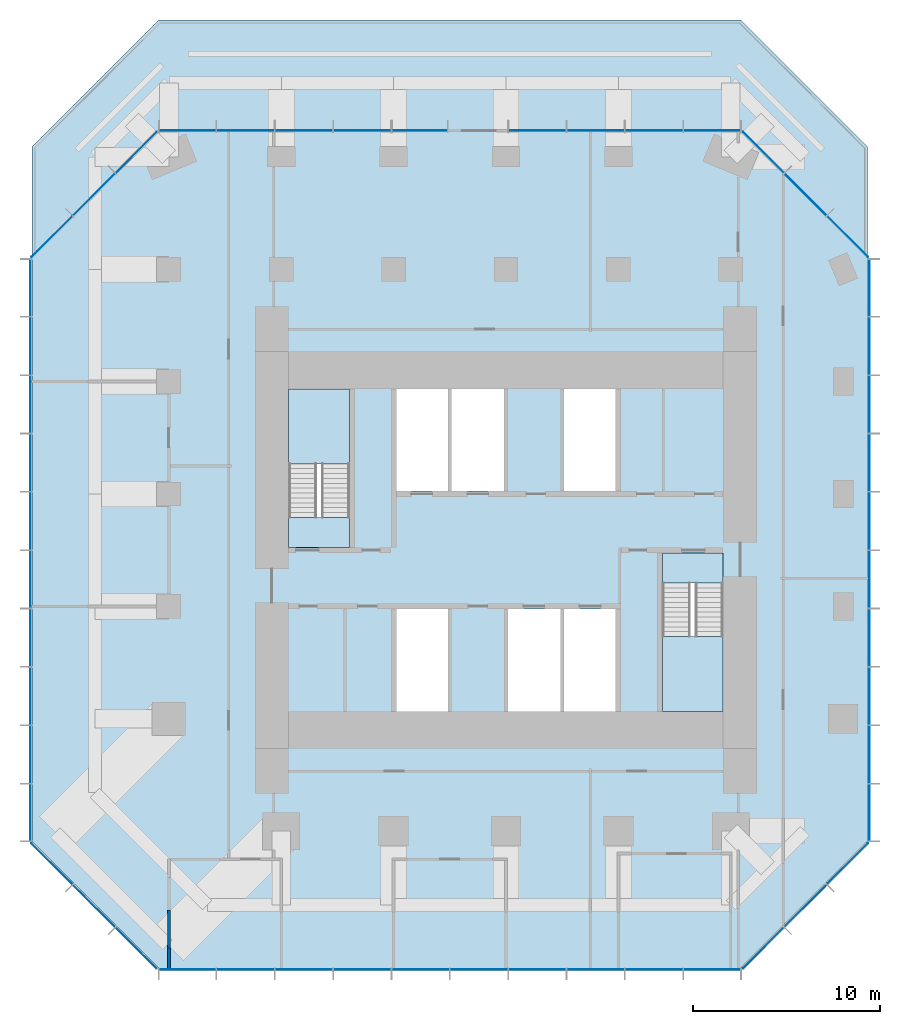
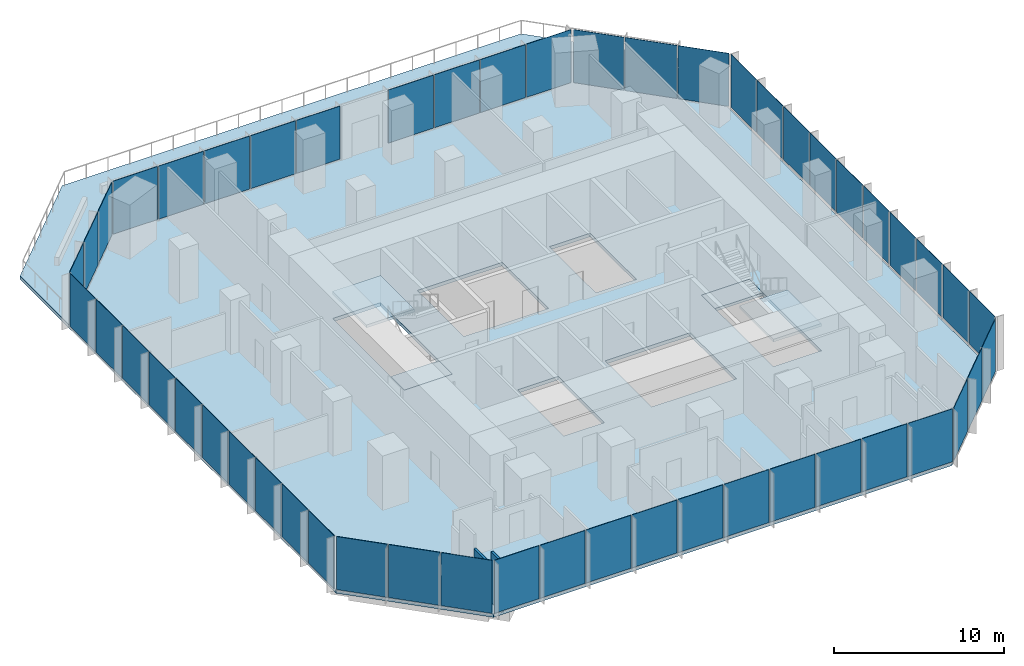
# One storey, part 7 of 11: 51 plates, 5 slabs, 2 walls, 11 elements without a shape of their own.
"""IFC4 building model written with IfcOpenShell, lengths in metres."""

from ifc_helpers import new_model, si_unit, direction, frame, frame_2d, origin, origin_2d, place, context, subcontext, project, spatial, polyline, rectangle, outline, extrude, material, layer, layer_set, type_object, element, aggregate, save


model = new_model("IFC4")

# Units and contexts
model_context = context("Model", 3, precision=1e-05, world=origin(), true_north=direction((0.0, 1.0)))
body_context = subcontext(model_context, "Body", "Model", "MODEL_VIEW")
ifc_project = project(units=[si_unit("LENGTHUNIT", "METRE"), si_unit("AREAUNIT", "SQUARE_METRE"), si_unit("VOLUMEUNIT", "CUBIC_METRE"), si_unit("PLANEANGLEUNIT", "RADIAN"), si_unit("MASSUNIT", "GRAM", prefix="KILO")], contexts=[model_context])

# Site, building, storey
site_placement = place(None, origin())
site = spatial("IfcSite", under=ifc_project, at=site_placement, CompositionType="ELEMENT")
building_placement = place(site_placement, origin())
building = spatial("IfcBuilding", under=site, at=building_placement, Name="Highveld Stack Headquarters", CompositionType="ELEMENT")
storey_placement = place(building_placement, frame((0.0, 0.0, 212.300048828125)))
storey = spatial("IfcBuildingStorey", under=building, at=storey_placement, Name="L52", CompositionType="ELEMENT", Elevation=212.300048828125)

# Curtain wall, plates
ifc_material_1 = material(Name="Aluminium bronze anodised", Category="aluminium")
ifc_layer_1 = layer(ifc_material_1, 0.199951171875)
ifc_layer_set_1 = layer_set([ifc_layer_1], Name="Aluminium bronze anodised")
curtain_wall_type_1 = type_object("IfcCurtainWallType", Name="CW1 TOWER UNITISED CURTAIN WALL", PredefinedType="NOTDEFINED", material=ifc_layer_set_1)
curtain_wall_1_placement = place(storey_placement, origin())
curtain_wall_1 = element("IfcCurtainWall", 1, at=curtain_wall_1_placement, inside=storey, type_object=curtain_wall_type_1, Name="Curtain wall CW1 L52 S", PredefinedType="NOTDEFINED")
ifc_material_2 = material(Name="Glass bronze tinted double glazed unit", Category="glass")
ifc_layer_2 = layer(ifc_material_2, 0.028076171875)
ifc_layer_set_2 = layer_set([ifc_layer_2], Name="Glass bronze tinted double glazed unit")
plate_type_1 = type_object("IfcPlateType", Name="CW1 PANEL BRONZE TINTED DOUBLE GLAZED UNIT", PredefinedType="CURTAIN_PANEL", material=ifc_layer_set_2)
plate_1_placement = place(storey_placement, frame((-11.005615234375, -19.39990234375, 0.10009765625), z_axis=(0.0, 0.0, 1.0), x_axis=(1.0, 0.0, 0.0)))
plate_1 = element("IfcPlate", 2, at=plate_1_placement, type_object=plate_type_1, Name="CW1 panel L52 1.1", PredefinedType="CURTAIN_PANEL", context=body_context, shape_type="SweptSolid", body=[
    extrude(rectangle(XDim=3.0185546875, YDim=0.028076171875, at=origin_2d()), origin(), (0.0, 0.0, 1.0), 3.800048828125),
])
plate_2_placement = place(storey_placement, frame((-7.906005859375, -19.39990234375, 0.10009765625), z_axis=(0.0, 0.0, 1.0), x_axis=(1.0, 0.0, 0.0)))
plate_2 = element("IfcPlate", 3, at=plate_2_placement, type_object=plate_type_1, Name="CW1 panel L52 2.1", PredefinedType="CURTAIN_PANEL", context=body_context, shape_type="SweptSolid", body=[
    extrude(rectangle(XDim=3.051025390625, YDim=0.028076171875, at=origin_2d()), origin(), (0.0, 0.0, 1.0), 3.800048828125),
])
plate_3_placement = place(storey_placement, frame((-4.7900390625, -19.39990234375, 0.10009765625), z_axis=(0.0, 0.0, 1.0), x_axis=(1.0, 0.0, 0.0)))
plate_3 = element("IfcPlate", 4, at=plate_3_placement, type_object=plate_type_1, Name="CW1 panel L52 3.1", PredefinedType="CURTAIN_PANEL", context=body_context, shape_type="SweptSolid", body=[
    extrude(rectangle(XDim=3.051025390625, YDim=0.028076171875, at=origin_2d()), origin(), (0.0, 0.0, 1.0), 3.800048828125),
])
plate_4_placement = place(storey_placement, frame((-1.674072265625, -19.39990234375, 0.10009765625), z_axis=(0.0, 0.0, 1.0), x_axis=(1.0, 0.0, 0.0)))
plate_4 = element("IfcPlate", 5, at=plate_4_placement, type_object=plate_type_1, Name="CW1 panel L52 4.1", PredefinedType="CURTAIN_PANEL", context=body_context, shape_type="SweptSolid", body=[
    extrude(rectangle(XDim=3.051025390625, YDim=0.028076171875, at=origin_2d()), origin(), (0.0, 0.0, 1.0), 3.800048828125),
])
plate_5_placement = place(storey_placement, frame((1.44189453125, -19.39990234375, 0.10009765625), z_axis=(0.0, 0.0, 1.0), x_axis=(1.0, 0.0, 0.0)))
plate_5 = element("IfcPlate", 6, at=plate_5_placement, type_object=plate_type_1, Name="CW1 panel L52 5.1", PredefinedType="CURTAIN_PANEL", context=body_context, shape_type="SweptSolid", body=[
    extrude(rectangle(XDim=3.051025390625, YDim=0.028076171875, at=origin_2d()), origin(), (0.0, 0.0, 1.0), 3.800048828125),
])
plate_6_placement = place(storey_placement, frame((4.55810546875, -19.39990234375, 0.10009765625), z_axis=(0.0, 0.0, 1.0), x_axis=(1.0, 0.0, 0.0)))
plate_6 = element("IfcPlate", 7, at=plate_6_placement, type_object=plate_type_1, Name="CW1 panel L52 6.1", PredefinedType="CURTAIN_PANEL", context=body_context, shape_type="SweptSolid", body=[
    extrude(rectangle(XDim=3.051025390625, YDim=0.028076171875, at=origin_2d()), origin(), (0.0, 0.0, 1.0), 3.800048828125),
])
plate_7_placement = place(storey_placement, frame((7.674072265625, -19.39990234375, 0.10009765625), z_axis=(0.0, 0.0, 1.0), x_axis=(1.0, 0.0, 0.0)))
plate_7 = element("IfcPlate", 8, at=plate_7_placement, type_object=plate_type_1, Name="CW1 panel L52 7.1", PredefinedType="CURTAIN_PANEL", context=body_context, shape_type="SweptSolid", body=[
    extrude(rectangle(XDim=3.051025390625, YDim=0.028076171875, at=origin_2d()), origin(), (0.0, 0.0, 1.0), 3.800048828125),
])
plate_8_placement = place(storey_placement, frame((10.789794921875, -19.39990234375, 0.10009765625), z_axis=(0.0, 0.0, 1.0), x_axis=(1.0, 0.0, 0.0)))
plate_8 = element("IfcPlate", 9, at=plate_8_placement, type_object=plate_type_1, Name="CW1 panel L52 8.1", PredefinedType="CURTAIN_PANEL", context=body_context, shape_type="SweptSolid", body=[
    extrude(rectangle(XDim=3.051025390625, YDim=0.028076171875, at=origin_2d()), origin(), (0.0, 0.0, 1.0), 3.800048828125),
])
plate_9_placement = place(storey_placement, frame((13.906005859375, -19.39990234375, 0.10009765625), z_axis=(0.0, 0.0, 1.0), x_axis=(1.0, 0.0, 0.0)))
plate_9 = element("IfcPlate", 10, at=plate_9_placement, type_object=plate_type_1, Name="CW1 panel L52 9.1", PredefinedType="CURTAIN_PANEL", context=body_context, shape_type="SweptSolid", body=[
    extrude(rectangle(XDim=3.051025390625, YDim=0.028076171875, at=origin_2d()), origin(), (0.0, 0.0, 1.0), 3.800048828125),
])
plate_10_placement = place(storey_placement, frame((17.005615234375, -19.39990234375, 0.10009765625), z_axis=(0.0, 0.0, 1.0), x_axis=(1.0, 0.0, 0.0)))
plate_10 = element("IfcPlate", 11, at=plate_10_placement, type_object=plate_type_1, Name="CW1 panel L52 10.1", PredefinedType="CURTAIN_PANEL", context=body_context, shape_type="SweptSolid", body=[
    extrude(rectangle(XDim=3.0185546875, YDim=0.028076171875, at=origin_2d()), origin(), (0.0, 0.0, 1.0), 3.800048828125),
])
aggregate(curtain_wall_1, [plate_1, plate_2, plate_3, plate_4, plate_5, plate_6, plate_7, plate_8, plate_9, plate_10])

curtain_wall_2_placement = place(storey_placement, origin())
curtain_wall_2 = element("IfcCurtainWall", 12, at=curtain_wall_2_placement, inside=storey, type_object=curtain_wall_type_1, Name="Curtain wall CW1 L52 E", PredefinedType="NOTDEFINED")
plate_11_placement = place(storey_placement, frame((25.39990234375, -11.005615234375, 0.10009765625), z_axis=(0.0, 0.0, 1.0), x_axis=(0.0, 1.0, 0.0)))
plate_11 = element("IfcPlate", 13, at=plate_11_placement, type_object=plate_type_1, Name="CW1 panel L52 1.1", PredefinedType="CURTAIN_PANEL", context=body_context, shape_type="SweptSolid", body=[
    extrude(rectangle(XDim=3.0185546875, YDim=0.028076171875, at=origin_2d()), origin(), (0.0, 0.0, 1.0), 3.800048828125),
])
plate_12_placement = place(storey_placement, frame((25.39990234375, -7.906005859375, 0.10009765625), z_axis=(0.0, 0.0, 1.0), x_axis=(0.0, 1.0, 0.0)))
plate_12 = element("IfcPlate", 14, at=plate_12_placement, type_object=plate_type_1, Name="CW1 panel L52 2.1", PredefinedType="CURTAIN_PANEL", context=body_context, shape_type="SweptSolid", body=[
    extrude(rectangle(XDim=3.051025390625, YDim=0.028076171875, at=origin_2d()), origin(), (0.0, 0.0, 1.0), 3.800048828125),
])
plate_13_placement = place(storey_placement, frame((25.39990234375, -4.7900390625, 0.10009765625), z_axis=(0.0, 0.0, 1.0), x_axis=(0.0, 1.0, 0.0)))
plate_13 = element("IfcPlate", 15, at=plate_13_placement, type_object=plate_type_1, Name="CW1 panel L52 3.1", PredefinedType="CURTAIN_PANEL", context=body_context, shape_type="SweptSolid", body=[
    extrude(rectangle(XDim=3.051025390625, YDim=0.028076171875, at=origin_2d()), origin(), (0.0, 0.0, 1.0), 3.800048828125),
])
plate_14_placement = place(storey_placement, frame((25.39990234375, -1.674072265625, 0.10009765625), z_axis=(0.0, 0.0, 1.0), x_axis=(0.0, 1.0, 0.0)))
plate_14 = element("IfcPlate", 16, at=plate_14_placement, type_object=plate_type_1, Name="CW1 panel L52 4.1", PredefinedType="CURTAIN_PANEL", context=body_context, shape_type="SweptSolid", body=[
    extrude(rectangle(XDim=3.051025390625, YDim=0.028076171875, at=origin_2d()), origin(), (0.0, 0.0, 1.0), 3.800048828125),
])
plate_15_placement = place(storey_placement, frame((25.39990234375, 1.44189453125, 0.10009765625), z_axis=(0.0, 0.0, 1.0), x_axis=(0.0, 1.0, 0.0)))
plate_15 = element("IfcPlate", 17, at=plate_15_placement, type_object=plate_type_1, Name="CW1 panel L52 5.1", PredefinedType="CURTAIN_PANEL", context=body_context, shape_type="SweptSolid", body=[
    extrude(rectangle(XDim=3.051025390625, YDim=0.028076171875, at=origin_2d()), origin(), (0.0, 0.0, 1.0), 3.800048828125),
])
plate_16_placement = place(storey_placement, frame((25.39990234375, 4.55810546875, 0.10009765625), z_axis=(0.0, 0.0, 1.0), x_axis=(0.0, 1.0, 0.0)))
plate_16 = element("IfcPlate", 18, at=plate_16_placement, type_object=plate_type_1, Name="CW1 panel L52 6.1", PredefinedType="CURTAIN_PANEL", context=body_context, shape_type="SweptSolid", body=[
    extrude(rectangle(XDim=3.051025390625, YDim=0.028076171875, at=origin_2d()), origin(), (0.0, 0.0, 1.0), 3.800048828125),
])
plate_17_placement = place(storey_placement, frame((25.39990234375, 7.674072265625, 0.10009765625), z_axis=(0.0, 0.0, 1.0), x_axis=(0.0, 1.0, 0.0)))
plate_17 = element("IfcPlate", 19, at=plate_17_placement, type_object=plate_type_1, Name="CW1 panel L52 7.1", PredefinedType="CURTAIN_PANEL", context=body_context, shape_type="SweptSolid", body=[
    extrude(rectangle(XDim=3.051025390625, YDim=0.028076171875, at=origin_2d()), origin(), (0.0, 0.0, 1.0), 3.800048828125),
])
plate_18_placement = place(storey_placement, frame((25.39990234375, 10.789794921875, 0.10009765625), z_axis=(0.0, 0.0, 1.0), x_axis=(0.0, 1.0, 0.0)))
plate_18 = element("IfcPlate", 20, at=plate_18_placement, type_object=plate_type_1, Name="CW1 panel L52 8.1", PredefinedType="CURTAIN_PANEL", context=body_context, shape_type="SweptSolid", body=[
    extrude(rectangle(XDim=3.051025390625, YDim=0.028076171875, at=origin_2d()), origin(), (0.0, 0.0, 1.0), 3.800048828125),
])
plate_19_placement = place(storey_placement, frame((25.39990234375, 13.906005859375, 0.10009765625), z_axis=(0.0, 0.0, 1.0), x_axis=(0.0, 1.0, 0.0)))
plate_19 = element("IfcPlate", 21, at=plate_19_placement, type_object=plate_type_1, Name="CW1 panel L52 9.1", PredefinedType="CURTAIN_PANEL", context=body_context, shape_type="SweptSolid", body=[
    extrude(rectangle(XDim=3.051025390625, YDim=0.028076171875, at=origin_2d()), origin(), (0.0, 0.0, 1.0), 3.800048828125),
])
plate_20_placement = place(storey_placement, frame((25.39990234375, 17.005615234375, 0.10009765625), z_axis=(0.0, 0.0, 1.0), x_axis=(0.0, 1.0, 0.0)))
plate_20 = element("IfcPlate", 22, at=plate_20_placement, type_object=plate_type_1, Name="CW1 panel L52 10.1", PredefinedType="CURTAIN_PANEL", context=body_context, shape_type="SweptSolid", body=[
    extrude(rectangle(XDim=3.0185546875, YDim=0.028076171875, at=origin_2d()), origin(), (0.0, 0.0, 1.0), 3.800048828125),
])
aggregate(curtain_wall_2, [plate_11, plate_12, plate_13, plate_14, plate_15, plate_16, plate_17, plate_18, plate_19, plate_20])

curtain_wall_3_placement = place(storey_placement, origin())
curtain_wall_3 = element("IfcCurtainWall", 23, at=curtain_wall_3_placement, inside=storey, type_object=curtain_wall_type_1, Name="Curtain wall CW1 L52 N-1", PredefinedType="NOTDEFINED")
plate_21_placement = place(storey_placement, frame((17.005615234375, 25.39990234375, 0.10009765625), z_axis=(0.0, 0.0, 1.0), x_axis=(-1.0, 0.0, 0.0)))
plate_21 = element("IfcPlate", 24, at=plate_21_placement, type_object=plate_type_1, Name="CW1 panel L52 1.1", PredefinedType="CURTAIN_PANEL", context=body_context, shape_type="SweptSolid", body=[
    extrude(rectangle(XDim=3.0185546875, YDim=0.028076171875, at=origin_2d()), origin(), (0.0, 0.0, 1.0), 3.800048828125),
])
plate_22_placement = place(storey_placement, frame((13.906005859375, 25.39990234375, 0.10009765625), z_axis=(0.0, 0.0, 1.0), x_axis=(-1.0, 0.0, 0.0)))
plate_22 = element("IfcPlate", 25, at=plate_22_placement, type_object=plate_type_1, Name="CW1 panel L52 2.1", PredefinedType="CURTAIN_PANEL", context=body_context, shape_type="SweptSolid", body=[
    extrude(rectangle(XDim=3.051025390625, YDim=0.028076171875, at=origin_2d()), origin(), (0.0, 0.0, 1.0), 3.800048828125),
])
plate_23_placement = place(storey_placement, frame((10.7900390625, 25.39990234375, 0.10009765625), z_axis=(0.0, 0.0, 1.0), x_axis=(-1.0, 0.0, 0.0)))
plate_23 = element("IfcPlate", 26, at=plate_23_placement, type_object=plate_type_1, Name="CW1 panel L52 3.1", PredefinedType="CURTAIN_PANEL", context=body_context, shape_type="SweptSolid", body=[
    extrude(rectangle(XDim=3.051025390625, YDim=0.028076171875, at=origin_2d()), origin(), (0.0, 0.0, 1.0), 3.800048828125),
])
plate_24_placement = place(storey_placement, frame((7.674072265625, 25.39990234375, 0.10009765625), z_axis=(0.0, 0.0, 1.0), x_axis=(-1.0, 0.0, 0.0)))
plate_24 = element("IfcPlate", 27, at=plate_24_placement, type_object=plate_type_1, Name="CW1 panel L52 4.1", PredefinedType="CURTAIN_PANEL", context=body_context, shape_type="SweptSolid", body=[
    extrude(rectangle(XDim=3.051025390625, YDim=0.028076171875, at=origin_2d()), origin(), (0.0, 0.0, 1.0), 3.800048828125),
])
aggregate(curtain_wall_3, [plate_21, plate_22, plate_23, plate_24])

curtain_wall_4_placement = place(storey_placement, origin())
curtain_wall_4 = element("IfcCurtainWall", 28, at=curtain_wall_4_placement, inside=storey, type_object=curtain_wall_type_1, Name="Curtain wall CW1 L52 N-2", PredefinedType="NOTDEFINED")
plate_25_placement = place(storey_placement, frame((1.38818359375, 25.39990234375, 0.10009765625), z_axis=(0.0, 0.0, 1.0), x_axis=(-1.0, 0.0, 0.0)))
plate_25 = element("IfcPlate", 29, at=plate_25_placement, type_object=plate_type_1, Name="CW1 panel L52 6.1", PredefinedType="CURTAIN_PANEL", context=body_context, shape_type="SweptSolid", body=[
    extrude(rectangle(XDim=2.943603515625, YDim=0.028076171875, at=origin_2d()), origin(), (0.0, 0.0, 1.0), 3.800048828125),
])
plate_26_placement = place(storey_placement, frame((-1.674072265625, 25.39990234375, 0.10009765625), z_axis=(0.0, 0.0, 1.0), x_axis=(-1.0, 0.0, 0.0)))
plate_26 = element("IfcPlate", 30, at=plate_26_placement, type_object=plate_type_1, Name="CW1 panel L52 7.1", PredefinedType="CURTAIN_PANEL", context=body_context, shape_type="SweptSolid", body=[
    extrude(rectangle(XDim=3.051025390625, YDim=0.028076171875, at=origin_2d()), origin(), (0.0, 0.0, 1.0), 3.800048828125),
])
plate_27_placement = place(storey_placement, frame((-4.789794921875, 25.39990234375, 0.10009765625), z_axis=(0.0, 0.0, 1.0), x_axis=(-1.0, 0.0, 0.0)))
plate_27 = element("IfcPlate", 31, at=plate_27_placement, type_object=plate_type_1, Name="CW1 panel L52 8.1", PredefinedType="CURTAIN_PANEL", context=body_context, shape_type="SweptSolid", body=[
    extrude(rectangle(XDim=3.051025390625, YDim=0.028076171875, at=origin_2d()), origin(), (0.0, 0.0, 1.0), 3.800048828125),
])
plate_28_placement = place(storey_placement, frame((-7.906005859375, 25.39990234375, 0.10009765625), z_axis=(0.0, 0.0, 1.0), x_axis=(-1.0, 0.0, 0.0)))
plate_28 = element("IfcPlate", 32, at=plate_28_placement, type_object=plate_type_1, Name="CW1 panel L52 9.1", PredefinedType="CURTAIN_PANEL", context=body_context, shape_type="SweptSolid", body=[
    extrude(rectangle(XDim=3.051025390625, YDim=0.028076171875, at=origin_2d()), origin(), (0.0, 0.0, 1.0), 3.800048828125),
])
plate_29_placement = place(storey_placement, frame((-11.005615234375, 25.39990234375, 0.10009765625), z_axis=(0.0, 0.0, 1.0), x_axis=(-1.0, 0.0, 0.0)))
plate_29 = element("IfcPlate", 33, at=plate_29_placement, type_object=plate_type_1, Name="CW1 panel L52 10.1", PredefinedType="CURTAIN_PANEL", context=body_context, shape_type="SweptSolid", body=[
    extrude(rectangle(XDim=3.0185546875, YDim=0.028076171875, at=origin_2d()), origin(), (0.0, 0.0, 1.0), 3.800048828125),
])
aggregate(curtain_wall_4, [plate_25, plate_26, plate_27, plate_28, plate_29])

curtain_wall_5_placement = place(storey_placement, origin())
curtain_wall_5 = element("IfcCurtainWall", 34, at=curtain_wall_5_placement, inside=storey, type_object=curtain_wall_type_1, Name="Curtain wall CW1 L52 W", PredefinedType="NOTDEFINED")
plate_30_placement = place(storey_placement, frame((-19.39990234375, 17.005615234375, 0.10009765625), z_axis=(0.0, 0.0, 1.0), x_axis=(0.0, -1.0, 0.0)))
plate_30 = element("IfcPlate", 35, at=plate_30_placement, type_object=plate_type_1, Name="CW1 panel L52 1.1", PredefinedType="CURTAIN_PANEL", context=body_context, shape_type="SweptSolid", body=[
    extrude(rectangle(XDim=3.0185546875, YDim=0.028076171875, at=origin_2d()), origin(), (0.0, 0.0, 1.0), 3.800048828125),
])
plate_31_placement = place(storey_placement, frame((-19.39990234375, 13.906005859375, 0.10009765625), z_axis=(0.0, 0.0, 1.0), x_axis=(0.0, -1.0, 0.0)))
plate_31 = element("IfcPlate", 36, at=plate_31_placement, type_object=plate_type_1, Name="CW1 panel L52 2.1", PredefinedType="CURTAIN_PANEL", context=body_context, shape_type="SweptSolid", body=[
    extrude(rectangle(XDim=3.051025390625, YDim=0.028076171875, at=origin_2d()), origin(), (0.0, 0.0, 1.0), 3.800048828125),
])
plate_32_placement = place(storey_placement, frame((-19.39990234375, 10.7900390625, 0.10009765625), z_axis=(0.0, 0.0, 1.0), x_axis=(0.0, -1.0, 0.0)))
plate_32 = element("IfcPlate", 37, at=plate_32_placement, type_object=plate_type_1, Name="CW1 panel L52 3.1", PredefinedType="CURTAIN_PANEL", context=body_context, shape_type="SweptSolid", body=[
    extrude(rectangle(XDim=3.051025390625, YDim=0.028076171875, at=origin_2d()), origin(), (0.0, 0.0, 1.0), 3.800048828125),
])
plate_33_placement = place(storey_placement, frame((-19.39990234375, 7.674072265625, 0.10009765625), z_axis=(0.0, 0.0, 1.0), x_axis=(0.0, -1.0, 0.0)))
plate_33 = element("IfcPlate", 38, at=plate_33_placement, type_object=plate_type_1, Name="CW1 panel L52 4.1", PredefinedType="CURTAIN_PANEL", context=body_context, shape_type="SweptSolid", body=[
    extrude(rectangle(XDim=3.051025390625, YDim=0.028076171875, at=origin_2d()), origin(), (0.0, 0.0, 1.0), 3.800048828125),
])
plate_34_placement = place(storey_placement, frame((-19.39990234375, 4.55810546875, 0.10009765625), z_axis=(0.0, 0.0, 1.0), x_axis=(0.0, -1.0, 0.0)))
plate_34 = element("IfcPlate", 39, at=plate_34_placement, type_object=plate_type_1, Name="CW1 panel L52 5.1", PredefinedType="CURTAIN_PANEL", context=body_context, shape_type="SweptSolid", body=[
    extrude(rectangle(XDim=3.051025390625, YDim=0.028076171875, at=origin_2d()), origin(), (0.0, 0.0, 1.0), 3.800048828125),
])
plate_35_placement = place(storey_placement, frame((-19.39990234375, 1.44189453125, 0.10009765625), z_axis=(0.0, 0.0, 1.0), x_axis=(0.0, -1.0, 0.0)))
plate_35 = element("IfcPlate", 40, at=plate_35_placement, type_object=plate_type_1, Name="CW1 panel L52 6.1", PredefinedType="CURTAIN_PANEL", context=body_context, shape_type="SweptSolid", body=[
    extrude(rectangle(XDim=3.051025390625, YDim=0.028076171875, at=origin_2d()), origin(), (0.0, 0.0, 1.0), 3.800048828125),
])
plate_36_placement = place(storey_placement, frame((-19.39990234375, -1.674072265625, 0.10009765625), z_axis=(0.0, 0.0, 1.0), x_axis=(0.0, -1.0, 0.0)))
plate_36 = element("IfcPlate", 41, at=plate_36_placement, type_object=plate_type_1, Name="CW1 panel L52 7.1", PredefinedType="CURTAIN_PANEL", context=body_context, shape_type="SweptSolid", body=[
    extrude(rectangle(XDim=3.051025390625, YDim=0.028076171875, at=origin_2d()), origin(), (0.0, 0.0, 1.0), 3.800048828125),
])
plate_37_placement = place(storey_placement, frame((-19.39990234375, -4.789794921875, 0.10009765625), z_axis=(0.0, 0.0, 1.0), x_axis=(0.0, -1.0, 0.0)))
plate_37 = element("IfcPlate", 42, at=plate_37_placement, type_object=plate_type_1, Name="CW1 panel L52 8.1", PredefinedType="CURTAIN_PANEL", context=body_context, shape_type="SweptSolid", body=[
    extrude(rectangle(XDim=3.051025390625, YDim=0.028076171875, at=origin_2d()), origin(), (0.0, 0.0, 1.0), 3.800048828125),
])
plate_38_placement = place(storey_placement, frame((-19.39990234375, -7.906005859375, 0.10009765625), z_axis=(0.0, 0.0, 1.0), x_axis=(0.0, -1.0, 0.0)))
plate_38 = element("IfcPlate", 43, at=plate_38_placement, type_object=plate_type_1, Name="CW1 panel L52 9.1", PredefinedType="CURTAIN_PANEL", context=body_context, shape_type="SweptSolid", body=[
    extrude(rectangle(XDim=3.051025390625, YDim=0.028076171875, at=origin_2d()), origin(), (0.0, 0.0, 1.0), 3.800048828125),
])
plate_39_placement = place(storey_placement, frame((-19.39990234375, -11.005615234375, 0.10009765625), z_axis=(0.0, 0.0, 1.0), x_axis=(0.0, -1.0, 0.0)))
plate_39 = element("IfcPlate", 44, at=plate_39_placement, type_object=plate_type_1, Name="CW1 panel L52 10.1", PredefinedType="CURTAIN_PANEL", context=body_context, shape_type="SweptSolid", body=[
    extrude(rectangle(XDim=3.0185546875, YDim=0.028076171875, at=origin_2d()), origin(), (0.0, 0.0, 1.0), 3.800048828125),
])
aggregate(curtain_wall_5, [plate_30, plate_31, plate_32, plate_33, plate_34, plate_35, plate_36, plate_37, plate_38, plate_39])

ifc_material_3 = material(Name="Aluminium bronze anodised", Category="aluminium")
ifc_layer_3 = layer(ifc_material_3, 0.199951171875)
ifc_layer_set_3 = layer_set([ifc_layer_3], Name="Aluminium bronze anodised")
curtain_wall_type_2 = type_object("IfcCurtainWallType", Name="CW2 TOWER CHAMFER UNITISED CURTAIN WALL", PredefinedType="NOTDEFINED", material=ifc_layer_set_3)
curtain_wall_6_placement = place(storey_placement, origin())
curtain_wall_6 = element("IfcCurtainWall", 45, at=curtain_wall_6_placement, inside=storey, type_object=curtain_wall_type_2, Name="Curtain wall CW2 L52 SE", PredefinedType="NOTDEFINED")
ifc_material_4 = material(Name="Glass bronze tinted double glazed unit", Category="glass")
ifc_layer_4 = layer(ifc_material_4, 0.028076171875)
ifc_layer_set_4 = layer_set([ifc_layer_4], Name="Glass bronze tinted double glazed unit")
plate_type_2 = type_object("IfcPlateType", Name="CW2 PANEL BRONZE TINTED DOUBLE GLAZED UNIT", PredefinedType="CURTAIN_PANEL", material=ifc_layer_set_4)
plate_40_placement = place(storey_placement, frame((19.740478515625, -18.239501953125, 0.10009765625), z_axis=(0.0, 0.0, 1.0), x_axis=(0.707106781187, 0.707106781187, 0.0)))
plate_40 = element("IfcPlate", 46, at=plate_40_placement, type_object=plate_type_2, Name="CW2 panel L52 1.1", PredefinedType="CURTAIN_PANEL", context=body_context, shape_type="SweptSolid", body=[
    extrude(rectangle(XDim=3.08251953125, YDim=0.028076171875, at=origin_2d()), origin(), (0.0, 0.0, 1.0), 3.800048828125),
])
plate_41_placement = place(storey_placement, frame((21.989990234375, -15.989990234375, 0.10009765625), z_axis=(0.0, 0.0, 1.0), x_axis=(0.707106781187, 0.707106781187, 0.0)))
plate_41 = element("IfcPlate", 47, at=plate_41_placement, type_object=plate_type_2, Name="CW2 panel L52 2.1", PredefinedType="CURTAIN_PANEL", context=body_context, shape_type="SweptSolid", body=[
    extrude(rectangle(XDim=3.14990234375, YDim=0.028076171875, at=origin_2d()), origin(), (0.0, 0.0, 1.0), 3.800048828125),
])
plate_42_placement = place(storey_placement, frame((24.239501953125, -13.740478515625, 0.10009765625), z_axis=(0.0, 0.0, 1.0), x_axis=(0.707106781187, 0.707106781187, 0.0)))
plate_42 = element("IfcPlate", 48, at=plate_42_placement, type_object=plate_type_2, Name="CW2 panel L52 3.1", PredefinedType="CURTAIN_PANEL", context=body_context, shape_type="SweptSolid", body=[
    extrude(rectangle(XDim=3.08251953125, YDim=0.028076171875, at=origin_2d()), origin(), (0.0, 0.0, 1.0), 3.800048828125),
])
aggregate(curtain_wall_6, [plate_40, plate_41, plate_42])

curtain_wall_7_placement = place(storey_placement, origin())
curtain_wall_7 = element("IfcCurtainWall", 49, at=curtain_wall_7_placement, inside=storey, type_object=curtain_wall_type_2, Name="Curtain wall CW2 L52 NE", PredefinedType="NOTDEFINED")
plate_43_placement = place(storey_placement, frame((24.239501953125, 19.740478515625, 0.10009765625), z_axis=(0.0, 0.0, 1.0), x_axis=(-0.707106781187, 0.707106781187, 0.0)))
plate_43 = element("IfcPlate", 50, at=plate_43_placement, type_object=plate_type_2, Name="CW2 panel L52 1.1", PredefinedType="CURTAIN_PANEL", context=body_context, shape_type="SweptSolid", body=[
    extrude(rectangle(XDim=3.08251953125, YDim=0.028076171875, at=origin_2d()), origin(), (0.0, 0.0, 1.0), 3.800048828125),
])
plate_44_placement = place(storey_placement, frame((21.989990234375, 21.989990234375, 0.10009765625), z_axis=(0.0, 0.0, 1.0), x_axis=(-0.707106781187, 0.707106781187, 0.0)))
plate_44 = element("IfcPlate", 51, at=plate_44_placement, type_object=plate_type_2, Name="CW2 panel L52 2.1", PredefinedType="CURTAIN_PANEL", context=body_context, shape_type="SweptSolid", body=[
    extrude(rectangle(XDim=3.14990234375, YDim=0.028076171875, at=origin_2d()), origin(), (0.0, 0.0, 1.0), 3.800048828125),
])
plate_45_placement = place(storey_placement, frame((19.740478515625, 24.239501953125, 0.10009765625), z_axis=(0.0, 0.0, 1.0), x_axis=(-0.707106781187, 0.707106781187, 0.0)))
plate_45 = element("IfcPlate", 52, at=plate_45_placement, type_object=plate_type_2, Name="CW2 panel L52 3.1", PredefinedType="CURTAIN_PANEL", context=body_context, shape_type="SweptSolid", body=[
    extrude(rectangle(XDim=3.08251953125, YDim=0.028076171875, at=origin_2d()), origin(), (0.0, 0.0, 1.0), 3.800048828125),
])
aggregate(curtain_wall_7, [plate_43, plate_44, plate_45])

curtain_wall_8_placement = place(storey_placement, origin())
curtain_wall_8 = element("IfcCurtainWall", 53, at=curtain_wall_8_placement, inside=storey, type_object=curtain_wall_type_2, Name="Curtain wall CW2 L52 NW", PredefinedType="NOTDEFINED")
plate_46_placement = place(storey_placement, frame((-13.740478515625, 24.239501953125, 0.10009765625), z_axis=(0.0, 0.0, 1.0), x_axis=(-0.707106781187, -0.707106781187, 0.0)))
plate_46 = element("IfcPlate", 54, at=plate_46_placement, type_object=plate_type_2, Name="CW2 panel L52 1.1", PredefinedType="CURTAIN_PANEL", context=body_context, shape_type="SweptSolid", body=[
    extrude(rectangle(XDim=3.08251953125, YDim=0.028076171875, at=origin_2d()), origin(), (0.0, 0.0, 1.0), 3.800048828125),
])
plate_47_placement = place(storey_placement, frame((-15.989990234375, 21.989990234375, 0.10009765625), z_axis=(0.0, 0.0, 1.0), x_axis=(-0.707106781187, -0.707106781187, 0.0)))
plate_47 = element("IfcPlate", 55, at=plate_47_placement, type_object=plate_type_2, Name="CW2 panel L52 2.1", PredefinedType="CURTAIN_PANEL", context=body_context, shape_type="SweptSolid", body=[
    extrude(rectangle(XDim=3.14990234375, YDim=0.028076171875, at=origin_2d()), origin(), (0.0, 0.0, 1.0), 3.800048828125),
])
plate_48_placement = place(storey_placement, frame((-18.239501953125, 19.740478515625, 0.10009765625), z_axis=(0.0, 0.0, 1.0), x_axis=(-0.707106781187, -0.707106781187, 0.0)))
plate_48 = element("IfcPlate", 56, at=plate_48_placement, type_object=plate_type_2, Name="CW2 panel L52 3.1", PredefinedType="CURTAIN_PANEL", context=body_context, shape_type="SweptSolid", body=[
    extrude(rectangle(XDim=3.08251953125, YDim=0.028076171875, at=origin_2d()), origin(), (0.0, 0.0, 1.0), 3.800048828125),
])
aggregate(curtain_wall_8, [plate_46, plate_47, plate_48])

curtain_wall_9_placement = place(storey_placement, origin())
curtain_wall_9 = element("IfcCurtainWall", 57, at=curtain_wall_9_placement, inside=storey, type_object=curtain_wall_type_2, Name="Curtain wall CW2 L52 SW", PredefinedType="NOTDEFINED")
plate_49_placement = place(storey_placement, frame((-18.239501953125, -13.740478515625, 0.10009765625), z_axis=(0.0, 0.0, 1.0), x_axis=(0.707106781187, -0.707106781187, 0.0)))
plate_49 = element("IfcPlate", 58, at=plate_49_placement, type_object=plate_type_2, Name="CW2 panel L52 1.1", PredefinedType="CURTAIN_PANEL", context=body_context, shape_type="SweptSolid", body=[
    extrude(rectangle(XDim=3.08251953125, YDim=0.028076171875, at=origin_2d()), origin(), (0.0, 0.0, 1.0), 3.800048828125),
])
plate_50_placement = place(storey_placement, frame((-15.989990234375, -15.989990234375, 0.10009765625), z_axis=(0.0, 0.0, 1.0), x_axis=(0.707106781187, -0.707106781187, 0.0)))
plate_50 = element("IfcPlate", 59, at=plate_50_placement, type_object=plate_type_2, Name="CW2 panel L52 2.1", PredefinedType="CURTAIN_PANEL", context=body_context, shape_type="SweptSolid", body=[
    extrude(rectangle(XDim=3.14990234375, YDim=0.028076171875, at=origin_2d()), origin(), (0.0, 0.0, 1.0), 3.800048828125),
])
plate_51_placement = place(storey_placement, frame((-13.740478515625, -18.239501953125, 0.10009765625), z_axis=(0.0, 0.0, 1.0), x_axis=(0.707106781187, -0.707106781187, 0.0)))
plate_51 = element("IfcPlate", 60, at=plate_51_placement, type_object=plate_type_2, Name="CW2 panel L52 3.1", PredefinedType="CURTAIN_PANEL", context=body_context, shape_type="SweptSolid", body=[
    extrude(rectangle(XDim=3.08251953125, YDim=0.028076171875, at=origin_2d()), origin(), (0.0, 0.0, 1.0), 3.800048828125),
])
aggregate(curtain_wall_9, [plate_49, plate_50, plate_51])

# Slab
ifc_material_5 = material(Name="Concrete C60/75", Category="concrete")
ifc_layer_5 = layer(ifc_material_5, 0.25)
ifc_layer_set_5 = layer_set([ifc_layer_5], Name="Concrete C60/75")
slab_type_1 = type_object("IfcSlabType", Name="PT FLAT SLAB 250", PredefinedType="FLOOR", material=ifc_layer_set_5)
slab_1_placement = place(storey_placement, frame((0.0, 0.0, -0.25)))
element("IfcSlab", 61, at=slab_1_placement, inside=storey, type_object=slab_type_1, Name="Floor slab L52", PredefinedType="FLOOR", context=body_context, shape_type="SweptSolid", body=[
    extrude(outline(polyline([(25.300048828125, -12.53857421875), (18.53857421875, -19.300048828125), (-12.53857421875, -19.300048828125), (-19.300048828125, -12.53857421875), (-19.300048828125, 18.5244140625), (-19.31005859375, 18.514404296875), (-19.31005859375, 24.54248046875), (-12.54248046875, 31.31005859375), (18.54248046875, 31.31005859375), (25.31005859375, 24.54248046875), (25.31005859375, 18.514404296875), (25.300048828125, 18.5244140625), (25.300048828125, -12.53857421875)]), holes=[polyline([(0.14990234375, 6.14990234375), (5.89990234375, 6.14990234375), (5.89990234375, 11.60009765625), (0.14990234375, 11.60009765625), (0.14990234375, 6.14990234375)]), polyline([(9.10009765625, 6.14990234375), (11.85009765625, 6.14990234375), (11.85009765625, 11.60009765625), (9.10009765625, 11.60009765625), (9.10009765625, 6.14990234375)]), polyline([(6.10009765625, -5.60009765625), (11.85009765625, -5.60009765625), (11.85009765625, -0.14990234375), (6.10009765625, -0.14990234375), (6.10009765625, -5.60009765625)]), polyline([(0.14990234375, -5.60009765625), (2.89990234375, -5.60009765625), (2.89990234375, -0.14990234375), (0.14990234375, -0.14990234375), (0.14990234375, -5.60009765625)]), polyline([(-5.60009765625, 3.14990234375), (-2.35009765625, 3.14990234375), (-2.35009765625, 11.60009765625), (-5.60009765625, 11.60009765625), (-5.60009765625, 3.14990234375)]), polyline([(14.35009765625, -5.60009765625), (17.60009765625, -5.60009765625), (17.60009765625, 2.85009765625), (14.35009765625, 2.85009765625), (14.35009765625, -5.60009765625)])]), origin(), (0.0, 0.0, 1.0), 0.25),
])

# Stair, slabs
ifc_material_6 = material(Name="Concrete C40/50, precast", Category="concrete")
stair_type_1 = type_object("IfcStairType", Name="STAIR S1 HALF TURN 1500", PredefinedType="HALF_TURN_STAIR", material=ifc_material_6)
stair_1_placement = place(storey_placement, origin())
stair_1 = element("IfcStair", 62, at=stair_1_placement, inside=storey, type_object=stair_type_1, Name="Stair S1 L52", PredefinedType="HALF_TURN_STAIR")
ifc_material_7 = material(Name="Concrete C40/50, precast", Category="concrete")
ifc_layer_6 = layer(ifc_material_7, 0.199951171875)
ifc_layer_set_6 = layer_set([ifc_layer_6], Name="Concrete C40/50, precast")
slab_type_2 = type_object("IfcSlabType", Name="STAIR LANDING 200", PredefinedType="LANDING", material=ifc_layer_set_6)
slab_2_placement = place(storey_placement, frame((0.0, 0.0, 1.75)))
slab_2 = element("IfcSlab", 63, at=slab_2_placement, type_object=slab_type_2, Name="S1 landing 1", PredefinedType="LANDING", context=body_context, shape_type="SweptSolid", body=[
    extrude(outline(polyline([(-5.60009765625, 7.610107421875), (-2.35009765625, 7.610107421875), (-2.35009765625, 11.60009765625), (-5.60009765625, 11.60009765625), (-5.60009765625, 7.610107421875)])), origin(), (0.0, 0.0, 1.0), 0.199951171875),
])
slab_3_placement = place(storey_placement, frame((0.0, 0.0, -0.199951171875)))
slab_3 = element("IfcSlab", 64, at=slab_3_placement, type_object=slab_type_2, Name="S1 landing 2", PredefinedType="LANDING", context=body_context, shape_type="SweptSolid", body=[
    extrude(outline(polyline([(-5.60009765625, 3.14990234375), (-2.35009765625, 3.14990234375), (-2.35009765625, 4.75), (-5.60009765625, 4.75), (-5.60009765625, 3.14990234375)])), origin(), (0.0, 0.0, 1.0), 0.199951171875),
])
aggregate(stair_1, [slab_2, slab_3])

ifc_material_8 = material(Name="Concrete C40/50, precast", Category="concrete")
stair_type_2 = type_object("IfcStairType", Name="STAIR S2 HALF TURN 1500", PredefinedType="HALF_TURN_STAIR", material=ifc_material_8)
stair_2_placement = place(storey_placement, origin())
stair_2 = element("IfcStair", 65, at=stair_2_placement, inside=storey, type_object=stair_type_2, Name="Stair S2 L52", PredefinedType="HALF_TURN_STAIR")
slab_4_placement = place(storey_placement, frame((0.0, 0.0, 1.75)))
slab_4 = element("IfcSlab", 66, at=slab_4_placement, type_object=slab_type_2, Name="S2 landing 1", PredefinedType="LANDING", context=body_context, shape_type="SweptSolid", body=[
    extrude(outline(polyline([(14.35009765625, -5.60009765625), (17.60009765625, -5.60009765625), (17.60009765625, -1.610107421875), (14.35009765625, -1.610107421875), (14.35009765625, -5.60009765625)])), origin(), (0.0, 0.0, 1.0), 0.199951171875),
])
slab_5_placement = place(storey_placement, frame((0.0, 0.0, -0.199951171875)))
slab_5 = element("IfcSlab", 67, at=slab_5_placement, type_object=slab_type_2, Name="S2 landing 2", PredefinedType="LANDING", context=body_context, shape_type="SweptSolid", body=[
    extrude(outline(polyline([(14.35009765625, 1.25), (17.60009765625, 1.25), (17.60009765625, 2.85009765625), (14.35009765625, 2.85009765625), (14.35009765625, 1.25)])), origin(), (0.0, 0.0, 1.0), 0.199951171875),
])
aggregate(stair_2, [slab_4, slab_5])

# Walls
ifc_material_9 = material(Name="Gypsum plasterboard on steel studs", Category="steel")
ifc_layer_7 = layer(ifc_material_9, 0.14990234375)
ifc_layer_set_7 = layer_set([ifc_layer_7], Name="Gypsum plasterboard on steel studs")
wall_type = type_object("IfcWallType", Name="PARTITION 150 PLASTERBOARD", PredefinedType="PARTITIONING", material=ifc_layer_set_7)
wall_1_placement = place(storey_placement, frame((-12.0, -19.39990234375, 0.0), z_axis=(0.0, 0.0, 1.0), x_axis=(0.0, 1.0, 0.0)))
element("IfcWall", 68, at=wall_1_placement, inside=storey, type_object=wall_type, Name="Partition Quiet room L52", PredefinedType="PARTITIONING", context=body_context, shape_type="SweptSolid", body=[
    extrude(rectangle(XDim=1.162841796875, YDim=0.14990234375, at=frame_2d((0.58154296875, 0.0))), origin(), (0.0, 0.0, 1.0), 3.64990234375),
])
wall_2_placement = place(storey_placement, frame((-12.0, -18.237060546875, 0.0), z_axis=(0.0, 0.0, 1.0), x_axis=(0.0, 1.0, 0.0)))
element("IfcWall", 69, at=wall_2_placement, inside=storey, type_object=wall_type, Name="Partition Quiet room L52", PredefinedType="PARTITIONING", context=body_context, shape_type="SweptSolid", body=[
    extrude(rectangle(XDim=2.029052734375, YDim=0.14990234375, at=frame_2d((1.0146484375, 0.0))), origin(), (0.0, 0.0, 1.0), 2.64990234375),
])

save(model, "model.ifc")
